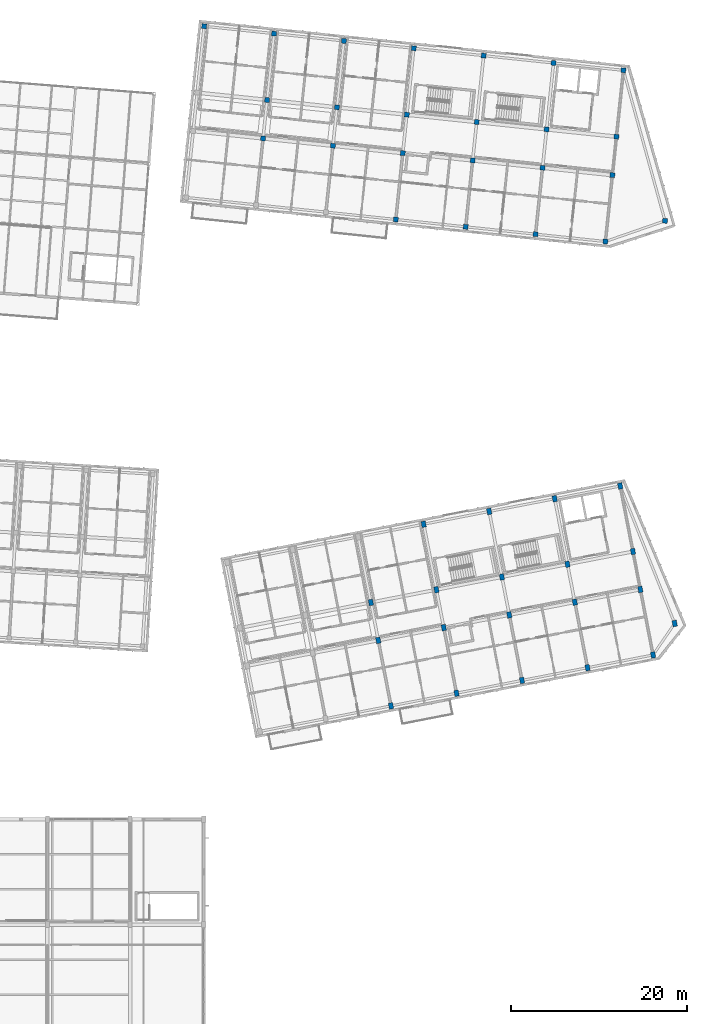
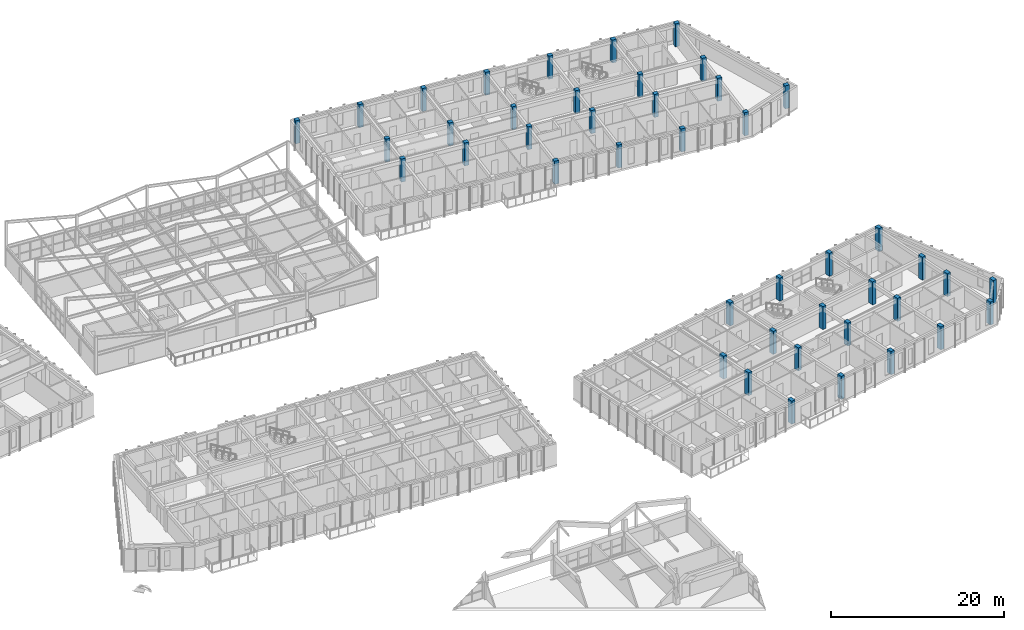
# One storey, part 5 of 127: 44 columns.
"""IFC4 building model written with IfcOpenShell, lengths in metres."""

from ifc_helpers import new_model, si_unit, direction, frame, origin, origin_2d, place, context, subcontext, project, spatial, rectangle, extrude, material, material_profile, profile_set, type_object, element, save


model = new_model("IFC4")

# Units and contexts
model_context = context("Model", 3, precision=1e-05, world=origin(), true_north=direction((0.0, 1.0)))
body_context = subcontext(model_context, "Body", "Model", "MODEL_VIEW")
ifc_project = project(units=[si_unit("LENGTHUNIT", "METRE"), si_unit("AREAUNIT", "SQUARE_METRE"), si_unit("VOLUMEUNIT", "CUBIC_METRE"), si_unit("PLANEANGLEUNIT", "RADIAN"), si_unit("MASSUNIT", "GRAM", prefix="KILO")], contexts=[model_context])

# Site, building, storey
site_placement = place(None, origin())
site = spatial("IfcSite", under=ifc_project, at=site_placement, CompositionType="ELEMENT")
building_placement = place(site_placement, origin())
building = spatial("IfcBuilding", under=site, at=building_placement, Name="Kestramere Prow Commons", CompositionType="ELEMENT")
storey_placement = place(building_placement, frame((0.0, 0.0, 8.39990234375)))
storey = spatial("IfcBuildingStorey", under=building, at=storey_placement, Name="L02", CompositionType="ELEMENT", Elevation=8.39990234375)

# Columns
ifc_material = material(Name="Precast concrete C40/50", Category="concrete")
ifc_material_profile_1 = material_profile(ifc_material, rectangle(XDim=0.550048828125, YDim=0.550048828125, at=origin_2d()), Name="PC-COL 550x550")
ifc_profile_set_1 = profile_set([ifc_material_profile_1], Name="Precast concrete C40/50")
column_type_1 = type_object("IfcColumnType", Name="C-B2 PC-COL 550x550", PredefinedType="COLUMN", material=ifc_profile_set_1)
for number, where, z_axis, x_axis, name in (
    (1, (112.048828125, 114.292724609375, 0.0), (0.0, 0.0, 1.0), (0.994521895368, -0.104528463268, 0.0), "Block B L02 Column 1-4"),
    (2, (118.75048828125, 101.522216796875, 0.0), (0.0, 0.0, 1.0), (0.994521895368, -0.104528463268, 0.0), "Block B L02 Column 2-2"),
    (3, (119.21044921875, 105.89794921875, 0.0), (0.0, 0.0, 1.0), (0.994521895368, -0.104528463268, 0.0), "Block B L02 Column 2-3"),
    (4, (120.0048828125, 113.456298828125, 0.0), (0.0, 0.0, 1.0), (0.994521895368, -0.104528463268, 0.0), "Block B L02 Column 2-4"),
    (5, (126.706787109375, 100.685791015625, 0.0), (0.0, 0.0, 1.0), (0.994521895368, -0.104528463268, 0.0), "Block B L02 Column 3-2"),
    (6, (127.166748046875, 105.061767578125, 0.0), (0.0, 0.0, 1.0), (0.994521895368, -0.104528463268, 0.0), "Block B L02 Column 3-3"),
    (7, (127.961181640625, 112.6201171875, 0.0), (0.0, 0.0, 1.0), (0.994521895368, -0.104528463268, 0.0), "Block B L02 Column 3-4"),
    (8, (133.868408203125, 92.291259765625, 0.0), (0.0, 0.0, 1.0), (0.994521895368, -0.104528463268, 0.0), "Block B L02 Column 4-1"),
    (9, (134.662841796875, 99.849609375, 0.0), (0.0, 0.0, 1.0), (0.994521895368, -0.104528463268, 0.0), "Block B L02 Column 4-2"),
    (10, (135.122802734375, 104.2255859375, 0.0), (0.0, 0.0, 1.0), (0.994521895368, -0.104528463268, 0.0), "Block B L02 Column 4-3"),
    (11, (135.917236328125, 111.783935546875, 0.0), (0.0, 0.0, 1.0), (0.994521895368, -0.104528463268, 0.0), "Block B L02 Column 4-4"),
    (12, (141.82470703125, 91.455078125, 0.0), (0.0, 0.0, 1.0), (0.994521895368, -0.104528463268, 0.0), "Block B L02 Column 5-1"),
    (13, (142.619140625, 99.013427734375, 0.0), (0.0, 0.0, 1.0), (0.994521895368, -0.104528463268, 0.0), "Block B L02 Column 5-2"),
    (14, (143.0791015625, 103.389404296875, 0.0), (0.0, 0.0, 1.0), (0.994521895368, -0.104528463268, 0.0), "Block B L02 Column 5-3"),
    (15, (143.87353515625, 110.94775390625, 0.0), (0.0, 0.0, 1.0), (0.994521895368, -0.104528463268, 0.0), "Block B L02 Column 5-4"),
    (16, (149.78076171875, 90.618896484375, 0.0), (0.0, 0.0, 1.0), (0.994521895368, -0.104528463268, 0.0), "Block B L02 Column 6-1"),
    (17, (150.5751953125, 98.17724609375, 0.0), (0.0, 0.0, 1.0), (0.994521895368, -0.104528463268, 0.0), "Block B L02 Column 6-2"),
    (18, (151.03515625, 102.55322265625, 0.0), (0.0, 0.0, 1.0), (0.994521895368, -0.104528463268, 0.0), "Block B L02 Column 6-3"),
    (19, (151.82958984375, 110.111572265625, 0.0), (0.0, 0.0, 1.0), (0.994521895368, -0.104528463268, 0.0), "Block B L02 Column 6-4"),
    (20, (157.737060546875, 89.78271484375, 0.0), (0.0, 0.0, 1.0), (0.994521895368, -0.104528463268, 0.0), "Block B L02 Column 7-1"),
    (21, (158.531494140625, 97.341064453125, 0.0), (0.0, 0.0, 1.0), (0.994521895368, -0.104528463268, 0.0), "Block B L02 Column 7-2"),
    (22, (158.991455078125, 101.716796875, 0.0), (0.0, 0.0, 1.0), (0.994521895368, -0.104528463268, 0.0), "Block B L02 Column 7-3"),
    (23, (159.785888671875, 109.275146484375, 0.0), (0.0, 0.0, 1.0), (0.994521895368, -0.104528463268, 0.0), "Block B L02 Column 7-4"),
    (24, (164.520263671875, 92.136474609375, 0.0), (0.0, 0.0, 1.0), (0.994521895368, -0.104528463268, 0.0), "Block B L02 Prow Apex Column"),
):
    element("IfcColumn", number, at=place(storey_placement, frame(where, z_axis=z_axis, x_axis=x_axis)), inside=storey, type_object=column_type_1, Name=name, PredefinedType="COLUMN", context=body_context, shape_type="SweptSolid", body=[
        extrude(rectangle(XDim=0.550048828125, YDim=0.550048828125, at=origin_2d()), origin(), (0.0, 0.0, 1.0), 3.25),
    ])
ifc_material_profile_2 = material_profile(ifc_material, rectangle(XDim=0.5, YDim=0.699951171875, at=origin_2d()), Name="PC-COL 500x700")
ifc_profile_set_2 = profile_set([ifc_material_profile_2], Name="Precast concrete C40/50")
column_type_2 = type_object("IfcColumnType", Name="C-D2 PC-COL 500x700", PredefinedType="COLUMN", material=ifc_profile_set_2)
for number, where, z_axis, x_axis, name in (
    (25, (133.32080078125, 36.900390625, 0.0), (0.0, 0.0, 1.0), (0.981627183448, 0.190808995377, 0.0), "Block D L02 Column 3-1"),
    (26, (131.87060546875, 44.360595703125, 0.0), (0.0, 0.0, 1.0), (0.981627183448, 0.190808995377, 0.0), "Block D L02 Column 3-2"),
    (27, (131.031005859375, 48.679931640625, 0.0), (0.0, 0.0, 1.0), (0.981627183448, 0.190808995377, 0.0), "Block D L02 Column 3-3"),
    (28, (140.781005859375, 38.350341796875, 0.0), (0.0, 0.0, 1.0), (0.981627183448, 0.190808995377, 0.0), "Block D L02 Column 4-1"),
    (29, (139.3310546875, 45.810791015625, 0.0), (0.0, 0.0, 1.0), (0.981627183448, 0.190808995377, 0.0), "Block D L02 Column 4-2"),
    (30, (138.491455078125, 50.1298828125, 0.0), (0.0, 0.0, 1.0), (0.981627183448, 0.190808995377, 0.0), "Block D L02 Column 4-3"),
    (31, (137.041259765625, 57.59033203125, 0.0), (0.0, 0.0, 1.0), (0.981627183448, 0.190808995377, 0.0), "Block D L02 Column 4-4"),
    (32, (148.241455078125, 39.800537109375, 0.0), (0.0, 0.0, 1.0), (0.981627183448, 0.190808995377, 0.0), "Block D L02 Column 5-1"),
    (33, (146.791259765625, 47.260986328125, 0.0), (0.0, 0.0, 1.0), (0.981627183448, 0.190808995377, 0.0), "Block D L02 Column 5-2"),
    (34, (145.95166015625, 51.580078125, 0.0), (0.0, 0.0, 1.0), (0.981627183448, 0.190808995377, 0.0), "Block D L02 Column 5-3"),
    (35, (144.501708984375, 59.04052734375, 0.0), (0.0, 0.0, 1.0), (0.981627183448, 0.190808995377, 0.0), "Block D L02 Column 5-4"),
    (36, (155.701904296875, 41.250732421875, 0.0), (0.0, 0.0, 1.0), (0.981627183448, 0.190808995377, 0.0), "Block D L02 Column 6-1"),
    (37, (154.251708984375, 48.711181640625, 0.0), (0.0, 0.0, 1.0), (0.981627183448, 0.190808995377, 0.0), "Block D L02 Column 6-2"),
    (38, (153.412109375, 53.0302734375, 0.0), (0.0, 0.0, 1.0), (0.981627183448, 0.190808995377, 0.0), "Block D L02 Column 6-3"),
    (39, (151.9619140625, 60.49072265625, 0.0), (0.0, 0.0, 1.0), (0.981627183448, 0.190808995377, 0.0), "Block D L02 Column 6-4"),
    (40, (163.162109375, 42.700927734375, 0.0), (0.0, 0.0, 1.0), (0.981627183448, 0.190808995377, 0.0), "Block D L02 Column 7-1"),
    (41, (161.712158203125, 50.161376953125, 0.0), (0.0, 0.0, 1.0), (0.981627183448, 0.190808995377, 0.0), "Block D L02 Column 7-2"),
    (42, (160.87255859375, 54.48046875, 0.0), (0.0, 0.0, 1.0), (0.981627183448, 0.190808995377, 0.0), "Block D L02 Column 7-3"),
    (43, (159.42236328125, 61.940673828125, 0.0), (0.0, 0.0, 1.0), (0.981627183448, 0.190808995377, 0.0), "Block D L02 Column 7-4"),
    (44, (165.623291015625, 46.286376953125, 0.0), (0.0, 0.0, 1.0), (0.981627183448, 0.190808995377, 0.0), "Block D L02 Prow Apex Column"),
):
    element("IfcColumn", number, at=place(storey_placement, frame(where, z_axis=z_axis, x_axis=x_axis)), inside=storey, type_object=column_type_2, Name=name, PredefinedType="COLUMN", context=body_context, shape_type="SweptSolid", body=[
        extrude(rectangle(XDim=0.5, YDim=0.699951171875, at=origin_2d()), origin(), (0.0, 0.0, 1.0), 3.25),
    ])

save(model, "model.ifc")
